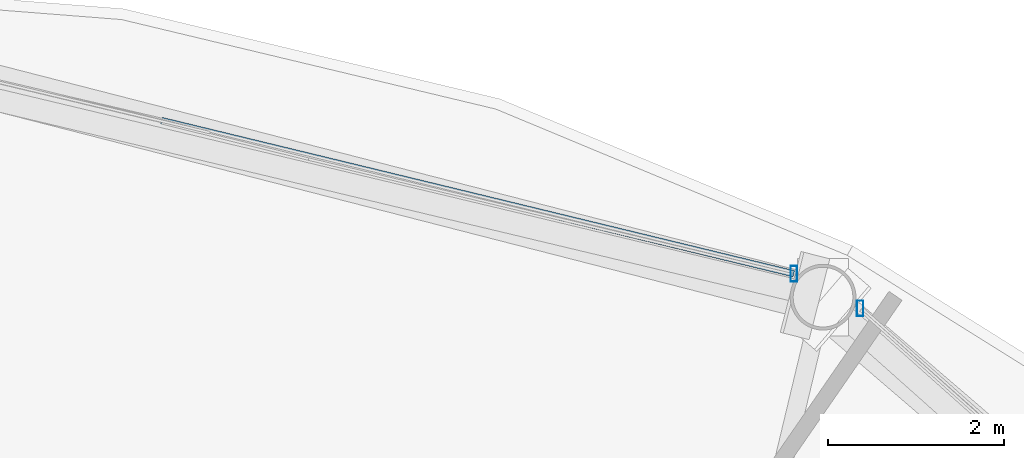
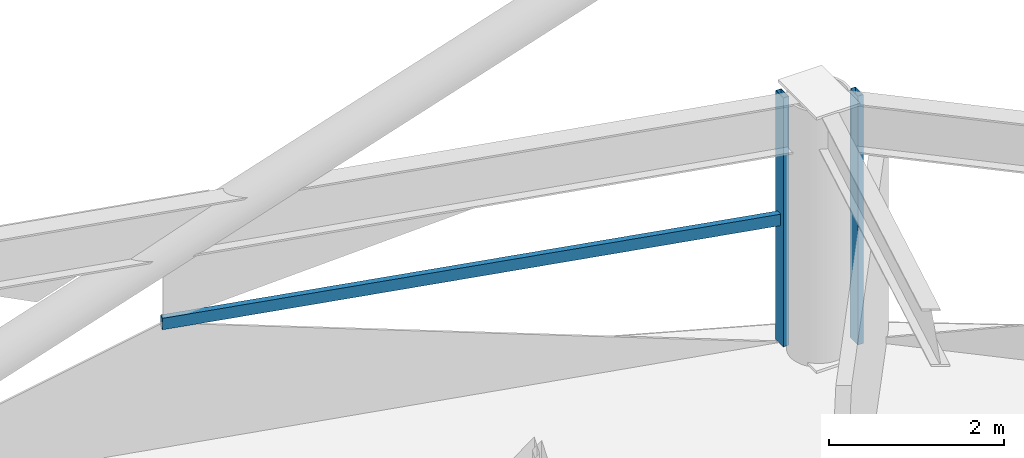
# One storey, part 19 of 29: 3 members, 2 elements without a shape of their own.
"""IFC4 building model written with IfcOpenShell, lengths in metres."""

import ifcopenshell
import ifcopenshell.guid

model = None  # the IFC model being written
_history = None  # IfcOwnerHistory: only IFC2X3 demands one
_inside = {}  # id of a spatial element -> (the spatial element, [elements in it])
_under = {}  # id of a project, library or spatial element -> (it, [spatial elements below it])
_declared = {}  # id of a project -> (the project, [libraries it declares])
_typed = {}  # id of a type object -> (the type object, [elements of that type])
_made_of = {}  # id of a material, layer set ... -> (it, [elements and type objects made of it])


def new_model(schema):
    """Start an empty IFC model of exactly this schema.

    Asked for "IFC4X3", IfcOpenShell would pick the latest addendum, in which some entities
    have other attributes; the version numbers below select the first issue.
    IFC2X3 requires an IfcOwnerHistory on every rooted entity: one is made here for all.
    """
    global model, _history
    if schema == "IFC4X3":
        model = ifcopenshell.file(schema_version=(4, 3, 0, 0))
    else:
        model = ifcopenshell.file(schema=schema)
    _inside.clear()
    _under.clear()
    _declared.clear()
    _typed.clear()
    _made_of.clear()
    _history = None
    if model.schema == "IFC2X3":
        org = make("IfcOrganization", Name="unknown")
        user = make(
            "IfcPersonAndOrganization",
            ThePerson=make("IfcPerson", FamilyName="unknown"),
            TheOrganization=org,
        )
        app = make(
            "IfcApplication",
            ApplicationDeveloper=org,
            Version="unknown",
            ApplicationFullName="unknown",
            ApplicationIdentifier="unknown",
        )
        _history = make(
            "IfcOwnerHistory",
            OwningUser=user,
            OwningApplication=app,
            ChangeAction="ADDED",
            CreationDate=0,
        )
    return model


def make(cls, **values):
    """One entity of the class cls with the attributes given. An attribute that is None is left unset."""
    return model.create_entity(
        cls, **{name: value for name, value in values.items() if value is not None}
    )


def rooted(cls, **values):
    """An entity with a GlobalId (a new one), such as an element, a storey or a relation."""
    return make(cls, GlobalId=ifcopenshell.guid.new(), OwnerHistory=_history, **values)


def si_unit(unit_type, name, prefix=None):
    """IfcSIUnit, for example si_unit("LENGTHUNIT", "METRE", prefix="MILLI")."""
    return make("IfcSIUnit", UnitType=unit_type, Prefix=prefix, Name=name)


def assignment(units):
    """IfcUnitAssignment: the units of a project."""
    return None if units is None else make("IfcUnitAssignment", Units=units)


def point(xyz):
    """IfcCartesianPoint."""
    return None if xyz is None else make("IfcCartesianPoint", Coordinates=xyz)


def direction(xyz):
    """IfcDirection."""
    return None if xyz is None else make("IfcDirection", DirectionRatios=xyz)


def frame(location, z_axis=None, x_axis=None):
    """IfcAxis2Placement3D, a coordinate frame: its origin and axes. An axis left out is left unset."""
    return make(
        "IfcAxis2Placement3D",
        Location=point(location),
        Axis=direction(z_axis),
        RefDirection=direction(x_axis),
    )


def frame_2d(location, x_axis=None):
    """IfcAxis2Placement2D, a coordinate frame in the plane: its origin and x axis."""
    return make(
        "IfcAxis2Placement2D", Location=point(location), RefDirection=direction(x_axis)
    )


def origin():
    """The frame at (0, 0, 0) with its axes left unset."""
    return frame((0.0, 0.0, 0.0))


def origin_2d():
    """The frame at (0, 0) in the plane with its x axis left unset."""
    return frame_2d((0.0, 0.0))


def place(relative_to, where):
    """IfcLocalPlacement: puts the frame where relative to a parent placement (None: the world)."""
    return make(
        "IfcLocalPlacement", PlacementRelTo=relative_to, RelativePlacement=where
    )


def context(
    kind, dimensions, precision=None, world=None, true_north=None, identifier=None
):
    """IfcGeometricRepresentationContext, for example the 3D "Model" context."""
    return make(
        "IfcGeometricRepresentationContext",
        ContextIdentifier=identifier,
        ContextType=kind,
        CoordinateSpaceDimension=dimensions,
        Precision=precision,
        WorldCoordinateSystem=world,
        TrueNorth=true_north,
    )


def subcontext(parent, identifier, kind, view, scale=None):
    """IfcGeometricRepresentationSubContext, for example "Body" below "Model"."""
    return make(
        "IfcGeometricRepresentationSubContext",
        ContextIdentifier=identifier,
        ContextType=kind,
        ParentContext=parent,
        TargetScale=scale,
        TargetView=view,
    )


def project(units=None, contexts=None):
    """IfcProject with its units and contexts."""
    return rooted(
        "IfcProject",
        Name="project",
        RepresentationContexts=contexts,
        UnitsInContext=assignment(units),
    )


def spatial(cls, under=None, at=None, **own):
    """A site, building, storey or space (cls), placed at a placement, below another one or the project."""
    s = rooted(cls, ObjectPlacement=at, **own)
    if under is not None:
        _under.setdefault(under.id(), (under, []))[1].append(s)
    return s


def profile(cls, at=None, kind="AREA", **sizes):
    """A parametric profile (cls). Its sizes go by their IFC names, for example OverallWidth=200.0."""
    return make(cls, ProfileType=kind, Position=at, **sizes)


def hollow_rectangle(**sizes):
    """IfcRectangleHollowProfileDef."""
    return profile("IfcRectangleHollowProfileDef", **sizes)


def extrude(swept, where, along, depth):
    """IfcExtrudedAreaSolid: the profile swept, set in the frame where, extruded along a direction by depth."""
    return make(
        "IfcExtrudedAreaSolid",
        SweptArea=swept,
        Position=where,
        ExtrudedDirection=direction(along),
        Depth=depth,
    )


def shape(context_of_items, identifier, shape_type, items):
    """IfcShapeRepresentation: the items that make up one representation, for example the "Body"."""
    return make(
        "IfcShapeRepresentation",
        ContextOfItems=context_of_items,
        RepresentationIdentifier=identifier,
        RepresentationType=shape_type,
        Items=items,
    )


def material(Name=None, Category=None):
    """IfcMaterial."""
    return make("IfcMaterial", Name=Name, Category=Category)


def layer(
    of_material, thickness, ventilated=None, Name=None, Category=None, Priority=None
):
    """IfcMaterialLayer: one layer of a wall or slab, of a material (None: an air gap)."""
    return make(
        "IfcMaterialLayer",
        Material=of_material,
        LayerThickness=thickness,
        IsVentilated=ventilated,
        Name=Name,
        Category=Category,
        Priority=Priority,
    )


def layer_set(layers, Name=None):
    """IfcMaterialLayerSet."""
    return make("IfcMaterialLayerSet", MaterialLayers=layers, LayerSetName=Name)


def material_profile(
    of_material, cross_section, Name=None, Category=None, Priority=None
):
    """IfcMaterialProfile: a cross section and its material."""
    return make(
        "IfcMaterialProfile",
        Name=Name,
        Material=of_material,
        Profile=cross_section,
        Priority=Priority,
        Category=Category,
    )


def profile_set(profiles, Name=None, composite=None):
    """IfcMaterialProfileSet."""
    return make(
        "IfcMaterialProfileSet",
        Name=Name,
        MaterialProfiles=profiles,
        CompositeProfile=composite,
    )


def made_of(thing, what):
    """Note that an element or type object is made of a material, layer set ...; save() writes the relation."""
    if what is not None:
        _made_of.setdefault(what.id(), (what, []))[1].append(thing)
    return thing


def type_object(cls, material=None, **own):
    """A type object (cls), such as IfcWallType, which elements share."""
    return made_of(rooted(cls, **own), material)


def element(
    cls,
    number,
    at=None,
    inside=None,
    cuts=None,
    type_object=None,
    material=None,
    context=None,
    identifier="Body",
    shape_type=None,
    held_by="IfcProductDefinitionShape",
    body=None,
    shapes=None,
    **own,
):
    """One element of the class cls, such as IfcWall. Its Tag is "e" and its number.

    at: its placement. inside: the storey or other place that contains it. cuts: it is an
    opening in that element (IfcRelVoidsElement). A single representation is given by context,
    identifier, shape_type and body (its items); several are given by shapes. held_by: the class
    of the entity that holds the representations. save() writes the other relations.
    """
    e = rooted(cls, Tag="e%d" % number, ObjectPlacement=at, **own)
    if body is not None:
        shapes = [shape(context, identifier, shape_type, body)]
    if shapes is not None:
        e.Representation = make(held_by, Representations=shapes)
    if inside is not None:
        _inside.setdefault(inside.id(), (inside, []))[1].append(e)
    if cuts is not None:
        rooted(
            "IfcRelVoidsElement", RelatingBuildingElement=cuts, RelatedOpeningElement=e
        )
    if type_object is not None:
        _typed.setdefault(type_object.id(), (type_object, []))[1].append(e)
    return made_of(e, material)


def aggregate(whole, parts):
    """IfcRelAggregates: a whole, such as a stair, and the parts it consists of."""
    return rooted("IfcRelAggregates", RelatingObject=whole, RelatedObjects=parts)


def save(model, path):
    """Write the relations noted so far, then the file.

    IfcRelAggregates (storeys below a building ...), IfcRelContainedInSpatialStructure (elements
    in a storey), IfcRelDefinesByType, IfcRelAssociatesMaterial and IfcRelDeclares: one each for
    every whole, place, type object, material and project.
    """
    for whole, parts in _under.values():
        aggregate(whole, parts)
    for where, things in _inside.values():
        rooted(
            "IfcRelContainedInSpatialStructure",
            RelatedElements=things,
            RelatingStructure=where,
        )
    for kind, things in _typed.values():
        rooted("IfcRelDefinesByType", RelatedObjects=things, RelatingType=kind)
    for what, things in _made_of.values():
        rooted("IfcRelAssociatesMaterial", RelatedObjects=things, RelatingMaterial=what)
    for by, libraries in _declared.values():
        rooted("IfcRelDeclares", RelatingContext=by, RelatedDefinitions=libraries)
    model.write(path)


model = new_model("IFC4")

# Units and contexts
model_context = context("Model", 3, precision=1e-05, world=origin(), true_north=direction((0.0, 1.0)))
body_context = subcontext(model_context, "Body", "Model", "MODEL_VIEW")
ifc_project = project(units=[si_unit("LENGTHUNIT", "METRE"), si_unit("AREAUNIT", "SQUARE_METRE"), si_unit("VOLUMEUNIT", "CUBIC_METRE"), si_unit("PLANEANGLEUNIT", "RADIAN"), si_unit("MASSUNIT", "GRAM", prefix="KILO")], contexts=[model_context])

# Site, building, storey
site_placement = place(None, origin())
site = spatial("IfcSite", under=ifc_project, at=site_placement, CompositionType="ELEMENT")
building_placement = place(site_placement, origin())
building = spatial("IfcBuilding", under=site, at=building_placement, Name="Vantalir Tower", CompositionType="ELEMENT")
storey_placement = place(building_placement, frame((0.0, 0.0, 157.199951171875)))
storey = spatial("IfcBuildingStorey", under=building, at=storey_placement, Name="L39", CompositionType="ELEMENT", Elevation=157.199951171875)

# Curtain wall, member
ifc_material_1 = material(Name="Champagne-silver PVDF aluminium and double-silver Low-E glass", Category="aluminium")
ifc_layer = layer(ifc_material_1, 0.199951171875)
ifc_layer_set = layer_set([ifc_layer], Name="Champagne-silver PVDF aluminium and double-silver Low-E glass")
curtain_wall_type = type_object("IfcCurtainWallType", Name="CW-DIAMOND-Z2", PredefinedType="USERDEFINED", material=ifc_layer_set)
curtain_wall_1_placement = place(storey_placement, origin())
curtain_wall_1 = element("IfcCurtainWall", 1, at=curtain_wall_1_placement, inside=storey, type_object=curtain_wall_type, Name="L39 Quilted Pyramid-Diamond Curtain Wall S02", ObjectType="UNITISED CURTAIN WALL", PredefinedType="USERDEFINED")
ifc_material_2 = material(Name="Champagne-silver PVDF aluminium 6063-T6", Category="aluminium")
ifc_material_profile_1 = material_profile(ifc_material_2, hollow_rectangle(XDim=0.074951171875, YDim=0.179931640625, WallThickness=0.00390625, at=origin_2d()), Name="Champagne-silver PVDF aluminium 6063-T6")
ifc_profile_set_1 = profile_set([ifc_material_profile_1], Name="Champagne-silver PVDF aluminium 6063-T6")
member_type_1 = type_object("IfcMemberType", Name="CWM-180x75", PredefinedType="MULLION", material=ifc_profile_set_1)
member_1_placement = place(storey_placement, frame((44.31494140625, 43.98388671875, 0.045166015625), z_axis=(0.0, 0.0, 1.0), x_axis=(1.0, 0.0, 0.0)))
member_1 = element("IfcMember", 2, at=member_1_placement, type_object=member_type_1, Name="CW-L39-S02 Mullion 2", PredefinedType="MULLION", context=body_context, shape_type="SweptSolid", body=[
    extrude(hollow_rectangle(XDim=0.074951171875, YDim=0.179931640625, WallThickness=0.00390625, at=origin_2d()), origin(), (0.0, 0.0, 1.0), 3.47998046875),
])
aggregate(curtain_wall_1, [member_1])

# Curtain wall, members
curtain_wall_2_placement = place(storey_placement, origin())
curtain_wall_2 = element("IfcCurtainWall", 3, at=curtain_wall_2_placement, inside=storey, type_object=curtain_wall_type, Name="L39 Quilted Pyramid-Diamond Curtain Wall S03", ObjectType="UNITISED CURTAIN WALL", PredefinedType="USERDEFINED")
member_2_placement = place(storey_placement, frame((43.55908203125, 44.37890625, 0.045166015625), z_axis=(0.0, 0.0, 1.0), x_axis=(1.0, 0.0, 0.0)))
member_2 = element("IfcMember", 4, at=member_2_placement, type_object=member_type_1, Name="CW-L39-S03 Mullion 1", PredefinedType="MULLION", context=body_context, shape_type="SweptSolid", body=[
    extrude(hollow_rectangle(XDim=0.074951171875, YDim=0.179931640625, WallThickness=0.00390625, at=origin_2d()), origin(), (0.0, 0.0, 1.0), 3.47998046875),
])
ifc_material_profile_2 = material_profile(ifc_material_2, hollow_rectangle(XDim=0.074951171875, YDim=0.159912109375, WallThickness=0.00390625, at=origin_2d()), Name="Champagne-silver PVDF aluminium 6063-T6")
ifc_profile_set_2 = profile_set([ifc_material_profile_2], Name="Champagne-silver PVDF aluminium 6063-T6")
member_type_2 = type_object("IfcMemberType", Name="CWT-160x75", PredefinedType="USERDEFINED", material=ifc_profile_set_2)
member_3_placement = place(storey_placement, frame((43.55908203125, 44.37890625, 1.78515625), z_axis=(-0.971875687696, 0.235494474807, 0.0), x_axis=(-0.235494474807, -0.971875687696, 0.0)))
member_3 = element("IfcMember", 5, at=member_3_placement, type_object=member_type_2, Name="CW-L39-S03 Pyramid Fold Ridge Transom", ObjectType="TRANSOM", PredefinedType="USERDEFINED", context=body_context, shape_type="SweptSolid", body=[
    extrude(hollow_rectangle(XDim=0.074951171875, YDim=0.159912109375, WallThickness=0.00390625, at=origin_2d()), origin(), (0.0, 0.0, 1.0), 7.41455078125),
])
aggregate(curtain_wall_2, [member_2, member_3])

save(model, "model.ifc")
